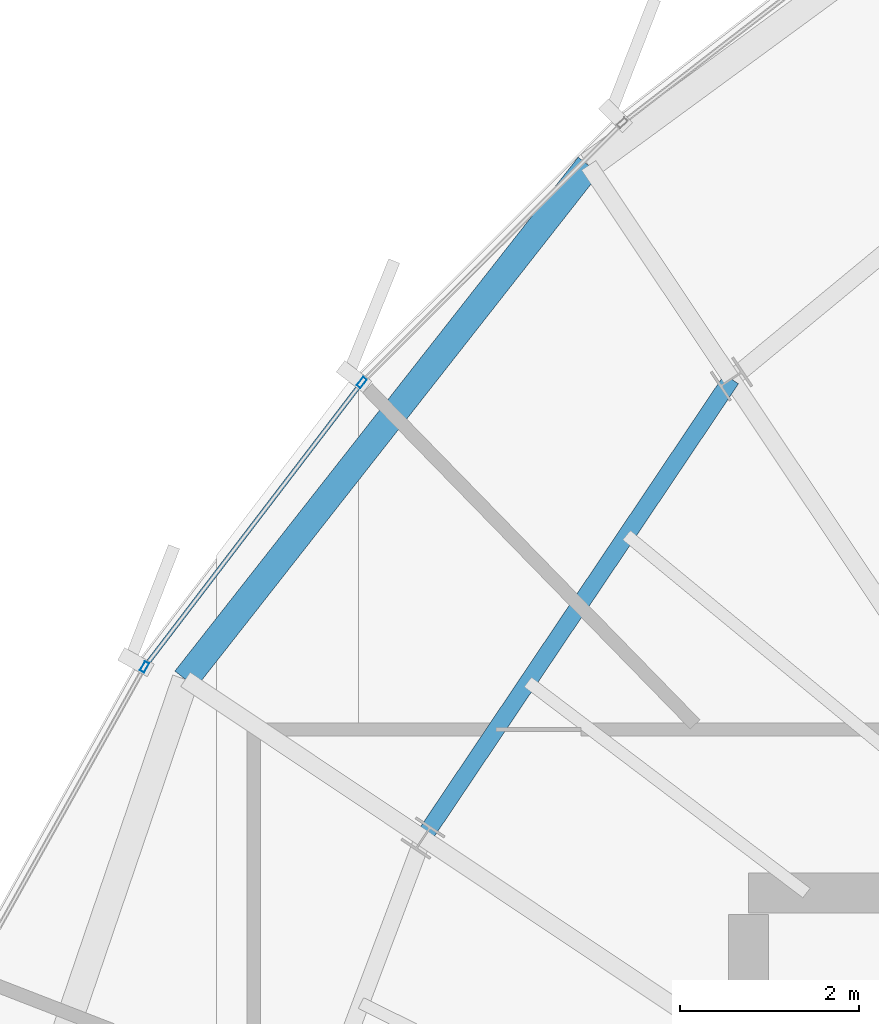
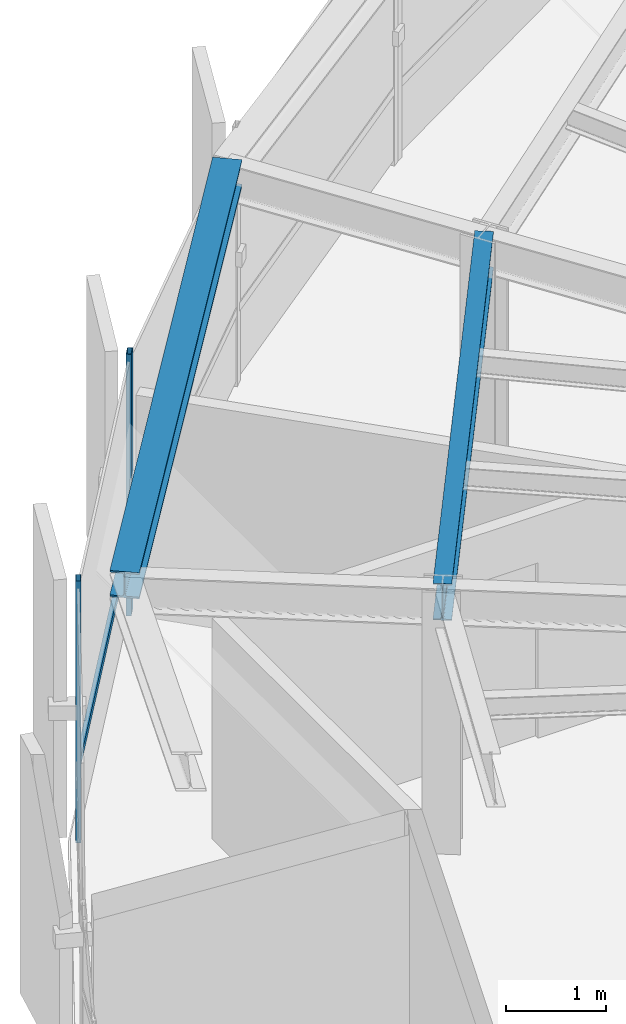
# One storey, part 17 of 34: 3 members, 2 beams, 1 element without a shape of its own.
"""IFC4 building model written with IfcOpenShell, lengths in metres."""

from ifc_helpers import new_model, si_unit, direction, frame, origin, origin_2d, place, context, subcontext, project, spatial, hollow_rectangle, i_section, extrude, source, transform, mapped, material, layer, layer_set, material_profile, profile_set, type_object, element, aggregate, save


model = new_model("IFC4")

# Units and contexts
model_context = context("Model", 3, precision=1e-05, world=origin(), true_north=direction((0.0, 1.0)))
body_context = subcontext(model_context, "Body", "Model", "MODEL_VIEW")
ifc_project = project(units=[si_unit("LENGTHUNIT", "METRE"), si_unit("AREAUNIT", "SQUARE_METRE"), si_unit("VOLUMEUNIT", "CUBIC_METRE"), si_unit("PLANEANGLEUNIT", "RADIAN"), si_unit("MASSUNIT", "GRAM", prefix="KILO"), si_unit("THERMODYNAMICTEMPERATUREUNIT", "KELVIN")], contexts=[model_context])

# Site, building, storey
site_placement = place(None, origin())
site = spatial("IfcSite", under=ifc_project, at=site_placement, CompositionType="ELEMENT")
building_placement = place(site_placement, origin())
building = spatial("IfcBuilding", under=site, at=building_placement, Name="Kethvar Cultural Tower", CompositionType="ELEMENT")
storey_placement = place(building_placement, frame((0.0, 0.0, 262.89990234375)))
storey = spatial("IfcBuildingStorey", under=building, at=storey_placement, Name="L69", CompositionType="ELEMENT", Elevation=262.89990234375)

# Beams
ifc_material_1 = material(Name="Steel S355J2", Category="steel")
ifc_material_profile_1 = material_profile(ifc_material_1, i_section(OverallWidth=0.18994140625, OverallDepth=0.449951171875, WebThickness=0.009521484375, FlangeThickness=0.0146484375, FilletRadius=0.02099609375, at=origin_2d()), Name="Steel S355J2 — IPE450")
ifc_profile_set_1 = profile_set([ifc_material_profile_1], Name="Steel S355J2 — IPE450")
beam_type_1 = type_object("IfcBeamType", Name="BM-IPE450", PredefinedType="BEAM", material=ifc_profile_set_1)
shared_shape_1 = source(origin(), body_context, "Body", "SweptSolid", [
    extrude(i_section(OverallWidth=0.18994140625, OverallDepth=0.449951171875, WebThickness=0.009521484375, FlangeThickness=0.0146484375, FilletRadius=0.02099609375, at=origin_2d()), origin(), (0.0, 0.0, 1.0), 6.192626953125),
])
beam_1_placement = place(storey_placement, frame((37.8095703125, 41.255126953125, 2.983154296875), z_axis=(-0.557698912025, -0.830043326295, 0.0), x_axis=(0.830043326295, -0.557698912025, 0.0)))
element("IfcBeam", 1, at=beam_1_placement, inside=storey, type_object=beam_type_1, Name="L69 Column Ring Tie Beam CR-06", PredefinedType="BEAM", context=body_context, shape_type="MappedRepresentation", body=[
    mapped(shared_shape_1, transform((0.0, 0.0, 0.0), scale=1.0)),
])
ifc_material_profile_2 = material_profile(ifc_material_1, i_section(OverallWidth=0.300048828125, OverallDepth=0.320068359375, WebThickness=0.011474609375, FlangeThickness=0.0205078125, FilletRadius=0.027099609375, at=origin_2d()), Name="Steel S355J2 — HEB320")
ifc_profile_set_2 = profile_set([ifc_material_profile_2], Name="Steel S355J2 — HEB320")
beam_type_2 = type_object("IfcBeamType", Name="BM-SP320", PredefinedType="SPANDREL", material=ifc_profile_set_2)
shared_shape_2 = source(origin(), body_context, "Body", "SweptSolid", [
    extrude(i_section(OverallWidth=0.300048828125, OverallDepth=0.320068359375, WebThickness=0.011474609375, FlangeThickness=0.0205078125, FilletRadius=0.027099609375, at=origin_2d()), origin(), (0.0, 0.0, 1.0), 7.31494140625),
])
beam_2_placement = place(storey_placement, frame((36.2109375, 43.6474609375, 3.048095703125), z_axis=(-0.617308473541, -0.786721201249, 0.0), x_axis=(0.786721201249, -0.617308473541, 0.0)))
element("IfcBeam", 2, at=beam_2_placement, inside=storey, type_object=beam_type_2, Name="L69 Perimeter Spandrel Beam SP-06", PredefinedType="SPANDREL", context=body_context, shape_type="MappedRepresentation", body=[
    mapped(shared_shape_2, transform((0.0, 0.0, 0.0), scale=1.0)),
])

# Curtain wall, members
ifc_material_2 = material(Name="Aluminium 6063-T6", Category="aluminium")
ifc_layer = layer(ifc_material_2, 0.179931640625, Name="Aluminium 6063-T6", Category="aluminium")
ifc_layer_set = layer_set([ifc_layer], Name="Aluminium 6063-T6 (180 mm)")
curtain_wall_type = type_object("IfcCurtainWallType", Name="CW-SYS-05-Z56", PredefinedType="NOTDEFINED", material=ifc_layer_set)
curtain_wall_placement = place(storey_placement, origin())
curtain_wall = element("IfcCurtainWall", 3, at=curtain_wall_placement, inside=storey, type_object=curtain_wall_type, Name="L69 Curtain Wall Run 02", PredefinedType="NOTDEFINED")
ifc_material_profile_3 = material_profile(ifc_material_2, hollow_rectangle(XDim=0.054931640625, YDim=0.1201171875, WallThickness=0.00390625, at=origin_2d()), Name="Aluminium 6063-T6 — RHS120x55x4")
ifc_profile_set_3 = profile_set([ifc_material_profile_3], Name="Aluminium 6063-T6 — RHS120x55x4")
member_type_1 = type_object("IfcMemberType", Name="CW-SYS-05-Z56-MUL", PredefinedType="MULLION", material=ifc_profile_set_3)
shared_shape_3 = source(origin(), body_context, "Body", "SweptSolid", [
    extrude(hollow_rectangle(XDim=0.054931640625, YDim=0.1201171875, WallThickness=0.00390625, at=origin_2d()), origin(), (0.0, 0.0, 1.0), 3.210205078125),
])
member_1_placement = place(storey_placement, frame((33.669677734375, 41.21630859375, 0.0), z_axis=(0.0, 0.0, 1.0), x_axis=(0.794880817402, -0.606765594053, 0.0)))
member_1 = element("IfcMember", 4, at=member_1_placement, type_object=member_type_1, Name="CW-L69-R02 Mullion 3", PredefinedType="MULLION", context=body_context, shape_type="MappedRepresentation", body=[
    mapped(shared_shape_3, transform((0.0, 0.0, 0.0), scale=1.0)),
])
member_2_placement = place(storey_placement, frame((31.2373046875, 38.031494140625, 0.0), z_axis=(0.0, 0.0, 1.0), x_axis=(0.872947620345, -0.487813952377, 0.0)))
member_2 = element("IfcMember", 5, at=member_2_placement, type_object=member_type_1, Name="CW-L69-R02 Mullion 4", PredefinedType="MULLION", context=body_context, shape_type="MappedRepresentation", body=[
    mapped(shared_shape_3, transform((0.0, 0.0, 0.0), scale=1.0)),
])
ifc_material_profile_4 = material_profile(ifc_material_2, hollow_rectangle(XDim=0.050048828125, YDim=0.10009765625, WallThickness=0.00390625, at=origin_2d()), Name="Aluminium 6063-T6 — RHS100x50x4")
ifc_profile_set_4 = profile_set([ifc_material_profile_4], Name="Aluminium 6063-T6 — RHS100x50x4")
member_type_2 = type_object("IfcMemberType", Name="CW-SYS-05-Z56-TRN", PredefinedType="USERDEFINED", material=ifc_profile_set_4)
shared_shape_4 = source(origin(), body_context, "Body", "SweptSolid", [
    extrude(hollow_rectangle(XDim=0.050048828125, YDim=0.10009765625, WallThickness=0.00390625, at=origin_2d()), origin(), (0.0, 0.0, 1.0), 3.9423828125),
])
member_3_placement = place(storey_placement, frame((33.6455078125, 41.184814453125, 0.9501953125), z_axis=(-0.606755704064, -0.794888366745, 0.0), x_axis=(0.794888366745, -0.606755704064, 0.0)))
member_3 = element("IfcMember", 6, at=member_3_placement, type_object=member_type_2, Name="CW-L69-R02 Transom 3", ObjectType="TRANSOM", PredefinedType="USERDEFINED", context=body_context, shape_type="MappedRepresentation", body=[
    mapped(shared_shape_4, transform((0.0, 0.0, 0.0), scale=1.0)),
])
aggregate(curtain_wall, [member_1, member_2, member_3])

save(model, "model.ifc")
